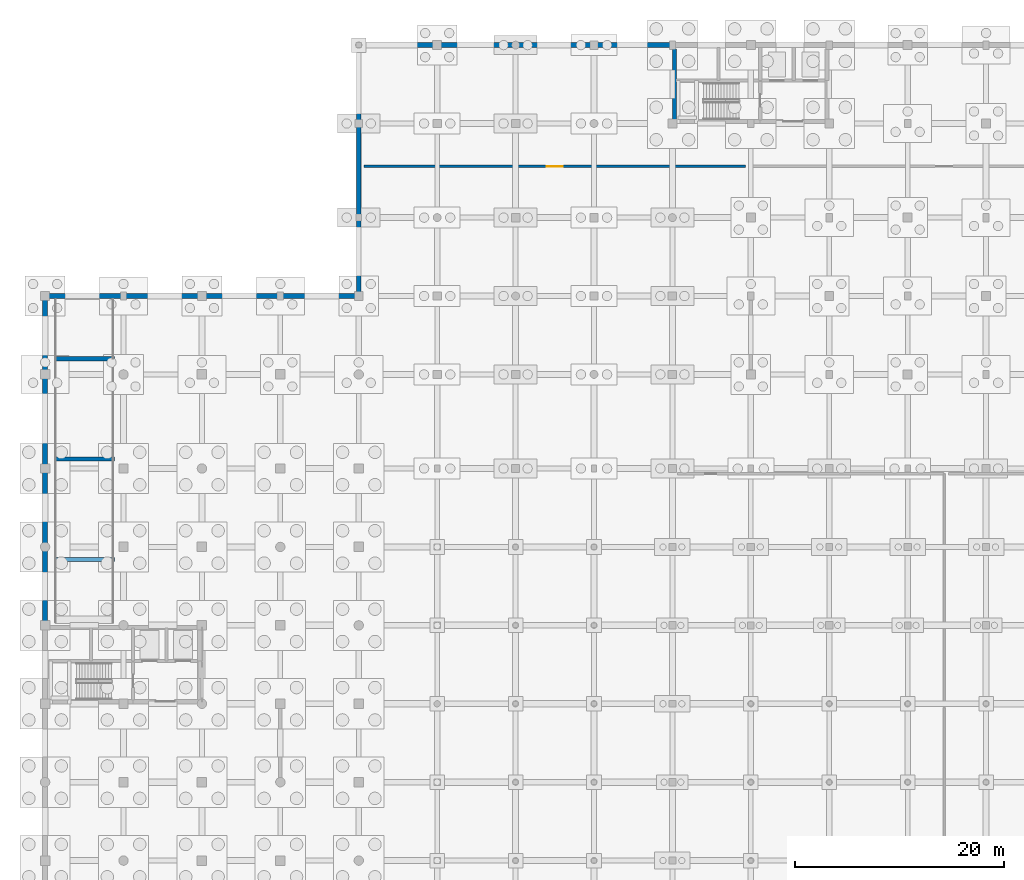
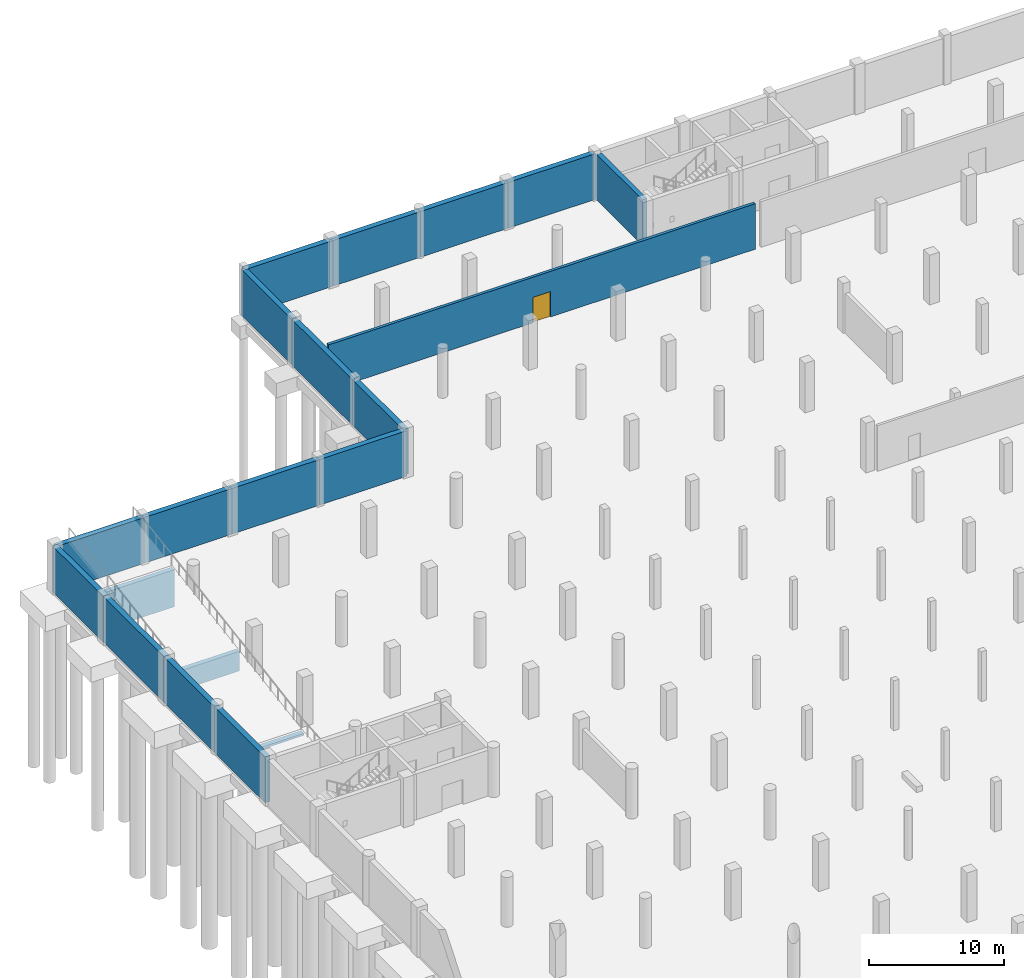
# One storey, part 28 of 42: 20 walls, 1 door, 1 opening.
"""IFC4 building model written with IfcOpenShell, lengths in metres."""

from ifc_helpers import new_model, si_unit, direction, frame, frame_2d, origin, place, context, subcontext, project, spatial, rectangle, extrude, material, layer, layer_set, type_object, element, fill, save


model = new_model("IFC4")

# Units and contexts
model_context = context("Model", 3, precision=1e-05, world=origin(), true_north=direction((0.0, 1.0)))
body_context = subcontext(model_context, "Body", "Model", "MODEL_VIEW")
ifc_project = project(units=[si_unit("LENGTHUNIT", "METRE"), si_unit("AREAUNIT", "SQUARE_METRE"), si_unit("VOLUMEUNIT", "CUBIC_METRE"), si_unit("PLANEANGLEUNIT", "RADIAN"), si_unit("MASSUNIT", "GRAM", prefix="KILO")], contexts=[model_context])

# Site, building, storey
site_placement = place(None, origin())
site = spatial("IfcSite", under=ifc_project, at=site_placement, CompositionType="ELEMENT")
building_placement = place(site_placement, origin())
building = spatial("IfcBuilding", under=site, at=building_placement, Name="Dalvernix Boulevard General Hospital", CompositionType="ELEMENT")
storey_placement = place(building_placement, frame((0.0, 0.0, -4.5)))
storey = spatial("IfcBuildingStorey", under=building, at=storey_placement, Name="B1", CompositionType="ELEMENT", Elevation=-4.5)

# Walls
ifc_material_1 = material(Name="Concrete C40/50", Category="concrete")
ifc_layer_1 = layer(ifc_material_1, 0.39990234375)
ifc_layer_set_1 = layer_set([ifc_layer_1], Name="Concrete C40/50 (WAL-CSW-01)")
wall_type_1 = type_object("IfcWallType", Name="WAL-CSW-01", PredefinedType="SHEAR", material=ifc_layer_set_1)
wall_1_placement = place(storey_placement, frame((0.85009765625, 67.800048828125, 0.0), z_axis=(0.0, 0.0, 1.0), x_axis=(1.0, 0.0, 0.0)))
element("IfcWall", 1, at=wall_1_placement, inside=storey, type_object=wall_type_1, Name="Vehicle ramp support pier wall 1", PredefinedType="SHEAR", context=body_context, shape_type="SweptSolid", body=[
    extrude(rectangle(XDim=5.7998046875, YDim=0.39990234375, at=frame_2d((2.89990234375, 0.0))), origin(), (0.0, 0.0, 1.0), 0.199951171875),
])
wall_2_placement = place(storey_placement, frame((0.85009765625, 77.39990234375, 0.0), z_axis=(0.0, 0.0, 1.0), x_axis=(1.0, 0.0, 0.0)))
element("IfcWall", 2, at=wall_2_placement, inside=storey, type_object=wall_type_1, Name="Vehicle ramp support pier wall 2", PredefinedType="SHEAR", context=body_context, shape_type="SweptSolid", body=[
    extrude(rectangle(XDim=5.7998046875, YDim=0.39990234375, at=frame_2d((2.89990234375, 0.0))), origin(), (0.0, 0.0, 1.0), 1.780029296875),
])
wall_3_placement = place(storey_placement, frame((0.85009765625, 87.0, 0.0), z_axis=(0.0, 0.0, 1.0), x_axis=(1.0, 0.0, 0.0)))
element("IfcWall", 3, at=wall_3_placement, inside=storey, type_object=wall_type_1, Name="Vehicle ramp support pier wall 3", PredefinedType="SHEAR", context=body_context, shape_type="SweptSolid", body=[
    extrude(rectangle(XDim=5.7998046875, YDim=0.39990234375, at=frame_2d((2.89990234375, 0.0))), origin(), (0.0, 0.0, 1.0), 3.35009765625),
])
wall_4_placement = place(storey_placement, frame((60.199951171875, 109.85009765625, 0.0), z_axis=(0.0, 0.0, 1.0), x_axis=(0.0, 1.0, 0.0)))
element("IfcWall", 4, at=wall_4_placement, inside=storey, type_object=wall_type_1, Name="B1 C3 west core wall", PredefinedType="SHEAR", context=body_context, shape_type="SweptSolid", body=[
    extrude(rectangle(XDim=6.7998046875, YDim=0.39990234375, at=frame_2d((3.39990234375, 0.0))), origin(), (0.0, 0.0, 1.0), 4.139892578125),
])

# Wall, opening, door
ifc_material_2 = material(Name="Acoustic fire-rated masonry clinical wall", Category="masonry")
ifc_layer_2 = layer(ifc_material_2, 0.25)
ifc_layer_set_2 = layer_set([ifc_layer_2], Name="Acoustic fire-rated masonry clinical wall (WAL-IW-01)")
wall_type_2 = type_object("IfcWallType", Name="WAL-IW-01", PredefinedType="STANDARD", material=ifc_layer_set_2)
wall_5_placement = place(storey_placement, frame((67.0, 105.39990234375, 0.0), z_axis=(0.0, 0.0, 1.0), x_axis=(-1.0, 0.0, 0.0)))
wall_5 = element("IfcWall", 5, at=wall_5_placement, inside=storey, type_object=wall_type_2, Name="B1 Central Centrifugal Chiller Plant Room corridor wall", PredefinedType="STANDARD", context=body_context, shape_type="SweptSolid", body=[
    extrude(rectangle(XDim=36.5, YDim=0.25, at=frame_2d((18.25, 0.0))), origin(), (0.0, 0.0, 1.0), 4.125),
])
opening_placement = place(wall_5_placement, frame((17.5, 0.0, 0.0)))
opening = element("IfcOpeningElement", 6, at=opening_placement, cuts=wall_5, Name="Opening ID-14", PredefinedType="OPENING", context=body_context, shape_type="SweptSolid", body=[
    extrude(rectangle(XDim=1.5, YDim=2.300048828125, at=frame_2d((0.75, 1.14990234375))), frame((0.0, 0.135009765625, 0.0), z_axis=(0.0, -1.0, 0.0), x_axis=(1.0, 0.0, 0.0)), (0.0, 0.0, 1.0), 0.27001953125),
])
ifc_material_3 = material(Name="Hospital laminate acoustic timber and steel frame", Category="steel")
door_type = type_object("IfcDoorType", Name="DR-ID-14", OperationType="DOUBLE_DOOR_SINGLE_SWING", PredefinedType="DOOR", material=ifc_material_3)
door_placement = place(opening_placement, origin())
door = element("IfcDoor", 7, at=door_placement, inside=storey, type_object=door_type, Name="B1 Central Centrifugal Chiller Plant Room door", OperationType="DOUBLE_DOOR_SINGLE_SWING", OverallHeight=2.300048828125, OverallWidth=1.5, PredefinedType="DOOR", context=body_context, shape_type="SweptSolid", body=[
    extrude(rectangle(XDim=1.5, YDim=2.300048828125, at=frame_2d((0.75, 1.14990234375))), frame((0.0, 0.02490234375, 0.0), z_axis=(0.0, -1.0, 0.0), x_axis=(1.0, 0.0, 0.0)), (0.0, 0.0, 1.0), 0.050048828125),
])
fill(opening, door)

# Walls
ifc_layer_3 = layer(ifc_material_1, 0.449951171875)
ifc_layer_set_3 = layer_set([ifc_layer_3], Name="Concrete C40/50 (WAL-RET-01)")
wall_type_3 = type_object("IfcWallType", Name="WAL-RET-01", PredefinedType="SOLIDWALL", material=ifc_layer_set_3)
for number, where, z_axis, x_axis, name in (
    (8, (0.0, 61.5, 0.0), (0.0, 0.0, 1.0), (0.0, 1.0, 0.0), "B1 basement retaining wall 4"),
    (9, (0.0, 69.0, 0.0), (0.0, 0.0, 1.0), (0.0, 1.0, 0.0), "B1 basement retaining wall 5"),
):
    element("IfcWall", number, at=place(storey_placement, frame(where, z_axis=z_axis, x_axis=x_axis)), inside=storey, type_object=wall_type_3, Name=name, PredefinedType="SOLIDWALL", context=body_context, shape_type="SweptSolid", body=[
        extrude(rectangle(XDim=7.5, YDim=0.449951171875, at=frame_2d((3.75, 0.0))), origin(), (0.0, 0.0, 1.0), 4.139892578125),
    ])
wall_6_placement = place(storey_placement, frame((0.0, 76.5, 0.0), z_axis=(0.0, 0.0, 1.0), x_axis=(0.0, 1.0, 0.0)))
element("IfcWall", 10, at=wall_6_placement, inside=storey, type_object=wall_type_3, Name="B1 basement retaining wall 6", PredefinedType="SOLIDWALL", context=body_context, shape_type="SweptSolid", body=[
    extrude(rectangle(XDim=9.0, YDim=0.449951171875, at=frame_2d((4.5, 0.0))), origin(), (0.0, 0.0, 1.0), 4.139892578125),
])
for number, where, z_axis, x_axis, name in (
    (11, (0.0, 85.5, 0.0), (0.0, 0.0, 1.0), (0.0, 1.0, 0.0), "B1 basement retaining wall 7"),
    (12, (0.0, 93.0, 0.0), (0.0, 0.0, 1.0), (1.0, 0.0, 0.0), "B1 basement retaining wall 8"),
    (13, (7.5, 93.0, 0.0), (0.0, 0.0, 1.0), (1.0, 0.0, 0.0), "B1 basement retaining wall 9"),
    (14, (15.0, 93.0, 0.0), (0.0, 0.0, 1.0), (1.0, 0.0, 0.0), "B1 basement retaining wall 10"),
    (15, (22.5, 93.0, 0.0), (0.0, 0.0, 1.0), (1.0, 0.0, 0.0), "B1 basement retaining wall 11"),
    (16, (30.0, 93.0, 0.0), (0.0, 0.0, 1.0), (0.0, 1.0, 0.0), "B1 basement retaining wall 12"),
):
    element("IfcWall", number, at=place(storey_placement, frame(where, z_axis=z_axis, x_axis=x_axis)), inside=storey, type_object=wall_type_3, Name=name, PredefinedType="SOLIDWALL", context=body_context, shape_type="SweptSolid", body=[
        extrude(rectangle(XDim=7.5, YDim=0.449951171875, at=frame_2d((3.75, 0.0))), origin(), (0.0, 0.0, 1.0), 4.139892578125),
    ])
wall_7_placement = place(storey_placement, frame((30.0, 100.5, 0.0), z_axis=(0.0, 0.0, 1.0), x_axis=(0.0, 1.0, 0.0)))
element("IfcWall", 17, at=wall_7_placement, inside=storey, type_object=wall_type_3, Name="B1 basement retaining wall 13", PredefinedType="SOLIDWALL", context=body_context, shape_type="SweptSolid", body=[
    extrude(rectangle(XDim=9.0, YDim=0.449951171875, at=frame_2d((4.5, 0.0))), origin(), (0.0, 0.0, 1.0), 4.139892578125),
])
for number, where, z_axis, x_axis, name in (
    (18, (30.0, 109.5, 0.0), (0.0, 0.0, 1.0), (0.0, 1.0, 0.0), "B1 basement retaining wall 14"),
    (19, (30.0, 117.0, 0.0), (0.0, 0.0, 1.0), (1.0, 0.0, 0.0), "B1 basement retaining wall 15"),
    (20, (37.5, 117.0, 0.0), (0.0, 0.0, 1.0), (1.0, 0.0, 0.0), "B1 basement retaining wall 16"),
    (21, (45.0, 117.0, 0.0), (0.0, 0.0, 1.0), (1.0, 0.0, 0.0), "B1 basement retaining wall 17"),
    (22, (52.5, 117.0, 0.0), (0.0, 0.0, 1.0), (1.0, 0.0, 0.0), "B1 basement retaining wall 18"),
):
    element("IfcWall", number, at=place(storey_placement, frame(where, z_axis=z_axis, x_axis=x_axis)), inside=storey, type_object=wall_type_3, Name=name, PredefinedType="SOLIDWALL", context=body_context, shape_type="SweptSolid", body=[
        extrude(rectangle(XDim=7.5, YDim=0.449951171875, at=frame_2d((3.75, 0.0))), origin(), (0.0, 0.0, 1.0), 4.139892578125),
    ])

save(model, "model.ifc")
